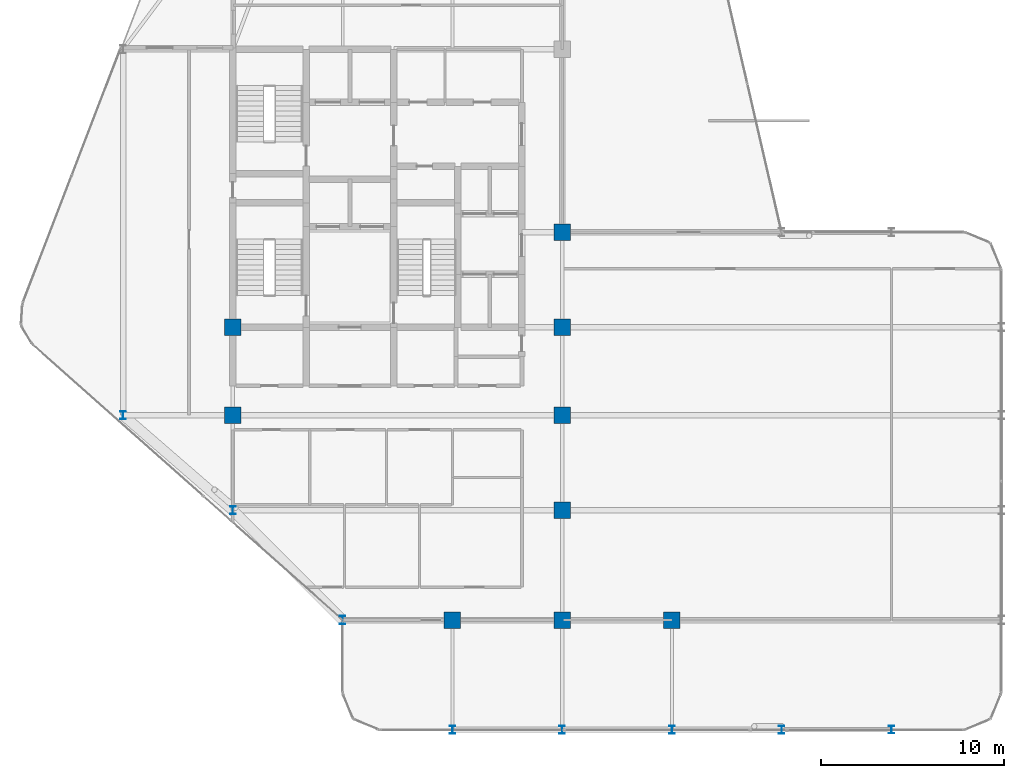
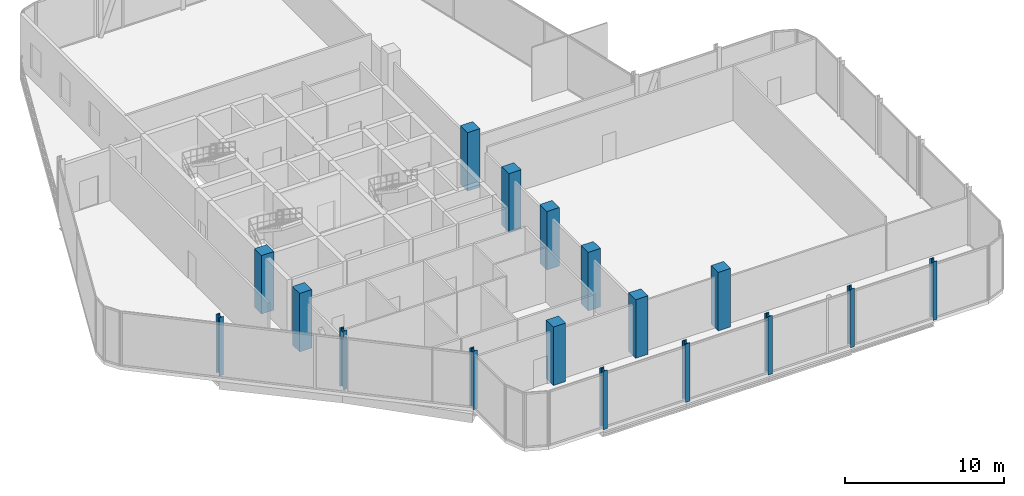
# One storey, part 1 of 31: 17 columns.
"""IFC4 building model written with IfcOpenShell, lengths in metres."""

from ifc_helpers import new_model, si_unit, direction, frame, origin, origin_2d, place, context, subcontext, project, spatial, rectangle, i_section, extrude, material, material_profile, profile_set, type_object, element, save


model = new_model("IFC4")

# Units and contexts
model_context = context("Model", 3, precision=1e-05, world=origin(), true_north=direction((0.0, 1.0)))
body_context = subcontext(model_context, "Body", "Model", "MODEL_VIEW")
ifc_project = project(units=[si_unit("LENGTHUNIT", "METRE"), si_unit("AREAUNIT", "SQUARE_METRE"), si_unit("VOLUMEUNIT", "CUBIC_METRE"), si_unit("PLANEANGLEUNIT", "RADIAN"), si_unit("MASSUNIT", "GRAM", prefix="KILO")], contexts=[model_context])

# Site, building, storey
site_placement = place(None, origin())
site = spatial("IfcSite", under=ifc_project, at=site_placement, CompositionType="ELEMENT")
building_placement = place(site_placement, origin())
building = spatial("IfcBuilding", under=site, at=building_placement, Name="Keshet Zoharim Tower", CompositionType="ELEMENT")
storey_placement = place(building_placement, frame((0.0, 0.0, 183.89990234375)))
storey = spatial("IfcBuildingStorey", under=building, at=storey_placement, Name="L45", CompositionType="ELEMENT", Elevation=183.89990234375)

# Columns
ifc_material_1 = material(Name="Steel S355", Category="steel")
ifc_material_profile_1 = material_profile(ifc_material_1, i_section(OverallWidth=0.300048828125, OverallDepth=0.449951171875, WebThickness=0.013916015625, FlangeThickness=0.02587890625, FilletRadius=0.027099609375, at=origin_2d()), Name="HEB450")
ifc_profile_set_1 = profile_set([ifc_material_profile_1], Name="Steel S355")
column_type_1 = type_object("IfcColumnType", Name="COL-HEB450", PredefinedType="COLUMN", material=ifc_profile_set_1)
for number, where, z_axis, x_axis, name in (
    (1, (9.0, 17.89990234375, 0.0), (0.0, 0.0, 1.0), (1.0, 0.0, 0.0), "L45 Column 2D"),
    (2, (15.0, 12.699951171875, 0.0), (0.0, 0.0, 1.0), (1.0, 0.0, 0.0), "L45 Column 3C"),
    (3, (21.0, 6.699951171875, 0.0), (0.0, 0.0, 1.0), (1.0, 0.0, 0.0), "L45 Column 4B"),
    (4, (27.0, 0.699951171875, 0.0), (0.0, 0.0, 1.0), (1.0, 0.0, 0.0), "L45 Column 5A"),
    (5, (33.0, 0.699951171875, 0.0), (0.0, 0.0, 1.0), (1.0, 0.0, 0.0), "L45 Column 6A"),
    (6, (39.0, 0.699951171875, 0.0), (0.0, 0.0, 1.0), (1.0, 0.0, 0.0), "L45 Column 7A"),
    (7, (45.0, 0.699951171875, 0.0), (0.0, 0.0, 1.0), (1.0, 0.0, 0.0), "L45 Column 8A"),
    (8, (51.0, 0.699951171875, 0.0), (0.0, 0.0, 1.0), (1.0, 0.0, 0.0), "L45 Column 9A"),
):
    element("IfcColumn", number, at=place(storey_placement, frame(where, z_axis=z_axis, x_axis=x_axis)), inside=storey, type_object=column_type_1, Name=name, PredefinedType="COLUMN", context=body_context, shape_type="SweptSolid", body=[
        extrude(i_section(OverallWidth=0.300048828125, OverallDepth=0.449951171875, WebThickness=0.013916015625, FlangeThickness=0.02587890625, FilletRadius=0.027099609375, at=origin_2d()), origin(), (0.0, 0.0, 1.0), 4.5),
    ])
ifc_material_2 = material(Name="Concrete C60/75", Category="concrete")
ifc_material_profile_2 = material_profile(ifc_material_2, rectangle(XDim=0.89990234375, YDim=0.89990234375, at=origin_2d()), Name="RC900x900")
ifc_profile_set_2 = profile_set([ifc_material_profile_2], Name="Concrete C60/75")
column_type_2 = type_object("IfcColumnType", Name="COL-RC900", PredefinedType="COLUMN", material=ifc_profile_set_2)
for number, where, z_axis, x_axis, name in (
    (9, (15.0, 17.89990234375, 0.0), (0.0, 0.0, 1.0), (1.0, 0.0, 0.0), "L45 Column 3D"),
    (10, (15.0, 22.699951171875, 0.0), (0.0, 0.0, 1.0), (1.0, 0.0, 0.0), "L45 Column 3E"),
    (11, (27.0, 6.699951171875, 0.0), (0.0, 0.0, 1.0), (1.0, 0.0, 0.0), "L45 Column 5B"),
    (12, (33.0, 6.699951171875, 0.0), (0.0, 0.0, 1.0), (1.0, 0.0, 0.0), "L45 Column 6B"),
    (13, (33.0, 12.699951171875, 0.0), (0.0, 0.0, 1.0), (1.0, 0.0, 0.0), "L45 Column 6C"),
    (14, (33.0, 17.89990234375, 0.0), (0.0, 0.0, 1.0), (1.0, 0.0, 0.0), "L45 Column 6D"),
    (15, (33.0, 22.699951171875, 0.0), (0.0, 0.0, 1.0), (1.0, 0.0, 0.0), "L45 Column 6E"),
    (16, (33.0, 27.89990234375, 0.0), (0.0, 0.0, 1.0), (1.0, 0.0, 0.0), "L45 Column 6F"),
    (17, (39.0, 6.699951171875, 0.0), (0.0, 0.0, 1.0), (1.0, 0.0, 0.0), "L45 Column 7B"),
):
    element("IfcColumn", number, at=place(storey_placement, frame(where, z_axis=z_axis, x_axis=x_axis)), inside=storey, type_object=column_type_2, Name=name, PredefinedType="COLUMN", context=body_context, shape_type="SweptSolid", body=[
        extrude(rectangle(XDim=0.89990234375, YDim=0.89990234375, at=origin_2d()), origin(), (0.0, 0.0, 1.0), 4.5),
    ])

save(model, "model.ifc")
